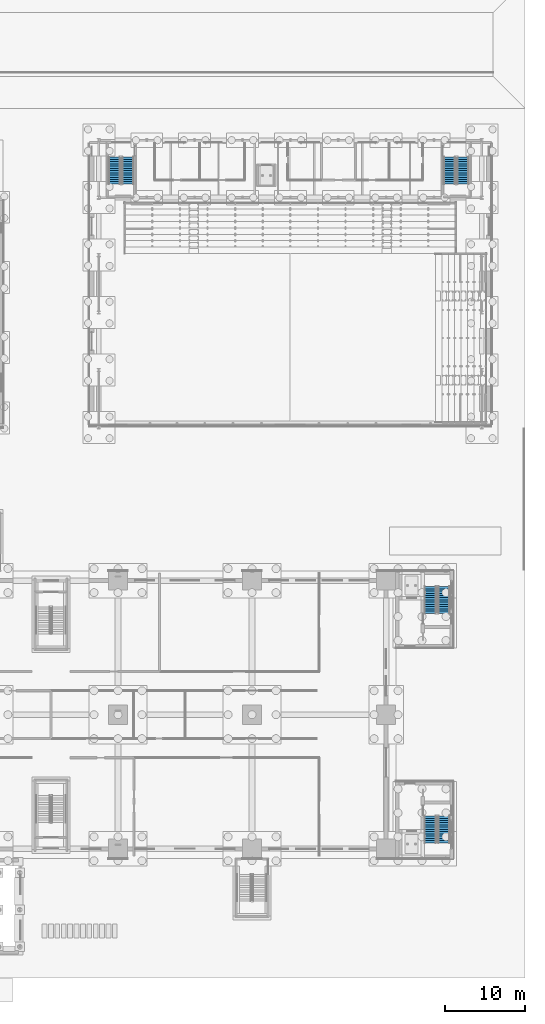
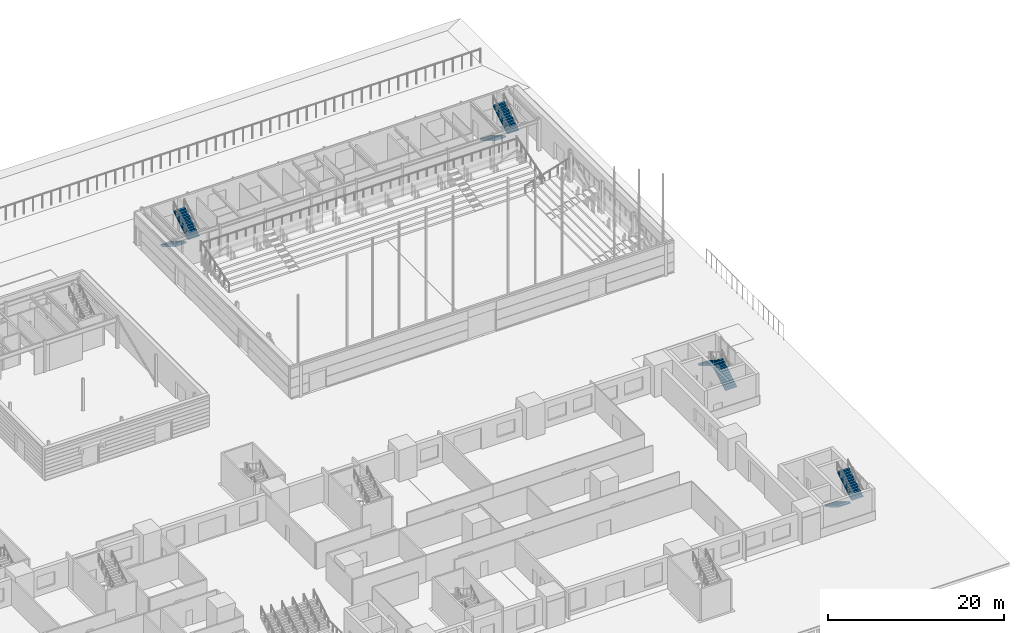
# One storey, part 92 of 139: 8 stair flights, 4 elements without a shape of their own.
"""IFC4 building model written with IfcOpenShell, lengths in metres."""

from ifc_helpers import new_model, si_unit, direction, frame, origin, place, context, subcontext, project, spatial, polyline, outline, extrude, material, type_object, element, aggregate, save


model = new_model("IFC4")

# Units and contexts
model_context = context("Model", 3, precision=1e-05, world=origin(), true_north=direction((0.0, 1.0)))
body_context = subcontext(model_context, "Body", "Model", "MODEL_VIEW")
ifc_project = project(units=[si_unit("LENGTHUNIT", "METRE"), si_unit("AREAUNIT", "SQUARE_METRE"), si_unit("VOLUMEUNIT", "CUBIC_METRE"), si_unit("PLANEANGLEUNIT", "RADIAN"), si_unit("MASSUNIT", "GRAM", prefix="KILO")], contexts=[model_context])

# Site, building, storey
site_placement = place(None, origin())
site = spatial("IfcSite", under=ifc_project, at=site_placement, CompositionType="ELEMENT")
building_placement = place(site_placement, origin())
building = spatial("IfcBuilding", under=site, at=building_placement, Name="Verrick Yard Athletic Hall", CompositionType="ELEMENT")
storey_placement = place(building_placement, origin())
storey = spatial("IfcBuildingStorey", under=building, at=storey_placement, Name="L00", CompositionType="ELEMENT", Elevation=0.0)

# Stair, stair flights
ifc_material = material(Name="Concrete 35 MPa", Category="concrete")
stair_type = type_object("IfcStairType", Name="Stair ST1 1500 wide 26 risers", PredefinedType="HALF_TURN_STAIR", material=ifc_material)
stair_1_placement = place(storey_placement, origin())
stair_1 = element("IfcStair", 1, at=stair_1_placement, inside=storey, type_object=stair_type, Name="Plinth south-east stair L00", PredefinedType="HALF_TURN_STAIR")
stair_flight_type = type_object("IfcStairFlightType", Name="Stair flight SF1 1500 wide 13 risers", PredefinedType="STRAIGHT", material=ifc_material)
stair_flight_1_placement = place(storey_placement, frame((163.14990234375, 23.300048828125, 0.0), z_axis=(0.0, 0.0, 1.0), x_axis=(0.0, -1.0, 0.0)))
stair_flight_1 = element("IfcStairFlight", 2, at=stair_flight_1_placement, type_object=stair_flight_type, Name="ST1 flight 1", NumberOfRisers=13, NumberOfTreads=12, PredefinedType="STRAIGHT", RiserHeight=0.169230769, TreadLength=0.28, context=body_context, shape_type="SweptSolid", body=[
    extrude(outline(polyline([(0.0, 0.0), (0.0, 0.169189453125), (0.280029296875, 0.169189453125), (0.280029296875, 0.33837890625), (0.56005859375, 0.33837890625), (0.56005859375, 0.5078125), (0.840087890625, 0.5078125), (0.840087890625, 0.677001953125), (1.1201171875, 0.677001953125), (1.1201171875, 0.84619140625), (1.39990234375, 0.84619140625), (1.39990234375, 1.015380859375), (1.679931640625, 1.015380859375), (1.679931640625, 1.1845703125), (1.9599609375, 1.1845703125), (1.9599609375, 1.353759765625), (2.239990234375, 1.353759765625), (2.239990234375, 1.523193359375), (2.52001953125, 1.523193359375), (2.52001953125, 1.6923828125), (2.800048828125, 1.6923828125), (2.800048828125, 1.861572265625), (3.080078125, 1.861572265625), (3.080078125, 2.03076171875), (3.360107421875, 2.03076171875), (3.360107421875, 2.199951171875), (3.360107421875, 1.855712890625), (0.289794921875, 0.0), (0.0, 0.0)])), frame((0.0, 0.75, 0.0), z_axis=(0.0, -1.0, 0.0), x_axis=(1.0, 0.0, 0.0)), (0.0, 0.0, 1.0), 1.5),
])
stair_flight_2_placement = place(storey_placement, frame((164.85009765625, 19.93994140625, 2.199951171875), z_axis=(0.0, 0.0, 1.0), x_axis=(0.0, 1.0, 0.0)))
stair_flight_2 = element("IfcStairFlight", 3, at=stair_flight_2_placement, type_object=stair_flight_type, Name="ST1 flight 2", NumberOfRisers=13, NumberOfTreads=12, PredefinedType="STRAIGHT", RiserHeight=0.169230769, TreadLength=0.28, context=body_context, shape_type="SweptSolid", body=[
    extrude(outline(polyline([(0.0, 0.0), (0.0, 0.169189453125), (0.280029296875, 0.169189453125), (0.280029296875, 0.33837890625), (0.56005859375, 0.33837890625), (0.56005859375, 0.5078125), (0.840087890625, 0.5078125), (0.840087890625, 0.677001953125), (1.1201171875, 0.677001953125), (1.1201171875, 0.84619140625), (1.39990234375, 0.84619140625), (1.39990234375, 1.015380859375), (1.679931640625, 1.015380859375), (1.679931640625, 1.1845703125), (1.9599609375, 1.1845703125), (1.9599609375, 1.353759765625), (2.239990234375, 1.353759765625), (2.239990234375, 1.523193359375), (2.52001953125, 1.523193359375), (2.52001953125, 1.6923828125), (2.800048828125, 1.6923828125), (2.800048828125, 1.861572265625), (3.080078125, 1.861572265625), (3.080078125, 2.03076171875), (3.360107421875, 2.03076171875), (3.360107421875, 2.199951171875), (3.360107421875, 1.855712890625), (0.289794921875, 0.0), (0.0, 0.0)])), frame((0.0, 0.75, 0.0), z_axis=(0.0, -1.0, 0.0), x_axis=(1.0, 0.0, 0.0)), (0.0, 0.0, 1.0), 1.5),
])
aggregate(stair_1, [stair_flight_1, stair_flight_2])

stair_2_placement = place(storey_placement, origin())
stair_2 = element("IfcStair", 4, at=stair_2_placement, inside=storey, type_object=stair_type, Name="Plinth north-east stair L00", PredefinedType="HALF_TURN_STAIR")
stair_flight_3_placement = place(storey_placement, frame((164.85009765625, 48.699951171875, 0.0), z_axis=(0.0, 0.0, 1.0), x_axis=(0.0, 1.0, 0.0)))
stair_flight_3 = element("IfcStairFlight", 5, at=stair_flight_3_placement, type_object=stair_flight_type, Name="ST1 flight 1", NumberOfRisers=13, NumberOfTreads=12, PredefinedType="STRAIGHT", RiserHeight=0.169230769, TreadLength=0.28, context=body_context, shape_type="SweptSolid", body=[
    extrude(outline(polyline([(0.0, 0.0), (0.0, 0.169189453125), (0.280029296875, 0.169189453125), (0.280029296875, 0.33837890625), (0.56005859375, 0.33837890625), (0.56005859375, 0.5078125), (0.840087890625, 0.5078125), (0.840087890625, 0.677001953125), (1.1201171875, 0.677001953125), (1.1201171875, 0.84619140625), (1.39990234375, 0.84619140625), (1.39990234375, 1.015380859375), (1.679931640625, 1.015380859375), (1.679931640625, 1.1845703125), (1.9599609375, 1.1845703125), (1.9599609375, 1.353759765625), (2.239990234375, 1.353759765625), (2.239990234375, 1.523193359375), (2.52001953125, 1.523193359375), (2.52001953125, 1.6923828125), (2.800048828125, 1.6923828125), (2.800048828125, 1.861572265625), (3.080078125, 1.861572265625), (3.080078125, 2.03076171875), (3.360107421875, 2.03076171875), (3.360107421875, 2.199951171875), (3.360107421875, 1.855712890625), (0.289794921875, 0.0), (0.0, 0.0)])), frame((0.0, 0.75, 0.0), z_axis=(0.0, -1.0, 0.0), x_axis=(1.0, 0.0, 0.0)), (0.0, 0.0, 1.0), 1.5),
])
stair_flight_4_placement = place(storey_placement, frame((163.14990234375, 52.06005859375, 2.199951171875), z_axis=(0.0, 0.0, 1.0), x_axis=(0.0, -1.0, 0.0)))
stair_flight_4 = element("IfcStairFlight", 6, at=stair_flight_4_placement, type_object=stair_flight_type, Name="ST1 flight 2", NumberOfRisers=13, NumberOfTreads=12, PredefinedType="STRAIGHT", RiserHeight=0.169230769, TreadLength=0.28, context=body_context, shape_type="SweptSolid", body=[
    extrude(outline(polyline([(0.0, 0.0), (0.0, 0.169189453125), (0.280029296875, 0.169189453125), (0.280029296875, 0.33837890625), (0.56005859375, 0.33837890625), (0.56005859375, 0.5078125), (0.840087890625, 0.5078125), (0.840087890625, 0.677001953125), (1.1201171875, 0.677001953125), (1.1201171875, 0.84619140625), (1.39990234375, 0.84619140625), (1.39990234375, 1.015380859375), (1.679931640625, 1.015380859375), (1.679931640625, 1.1845703125), (1.9599609375, 1.1845703125), (1.9599609375, 1.353759765625), (2.239990234375, 1.353759765625), (2.239990234375, 1.523193359375), (2.52001953125, 1.523193359375), (2.52001953125, 1.6923828125), (2.800048828125, 1.6923828125), (2.800048828125, 1.861572265625), (3.080078125, 1.861572265625), (3.080078125, 2.03076171875), (3.360107421875, 2.03076171875), (3.360107421875, 2.199951171875), (3.360107421875, 1.855712890625), (0.289794921875, 0.0), (0.0, 0.0)])), frame((0.0, 0.75, 0.0), z_axis=(0.0, -1.0, 0.0), x_axis=(1.0, 0.0, 0.0)), (0.0, 0.0, 1.0), 1.5),
])
aggregate(stair_2, [stair_flight_3, stair_flight_4])

stair_3_placement = place(storey_placement, origin())
stair_3 = element("IfcStair", 7, at=stair_3_placement, inside=storey, type_object=stair_type, Name="Sports Hall A east band stair L00", PredefinedType="HALF_TURN_STAIR")
stair_flight_5_placement = place(storey_placement, frame((165.550048828125, 105.875, 0.0), z_axis=(0.0, 0.0, 1.0), x_axis=(0.0, -1.0, 0.0)))
stair_flight_5 = element("IfcStairFlight", 8, at=stair_flight_5_placement, type_object=stair_flight_type, Name="ST1 flight 1", NumberOfRisers=13, NumberOfTreads=12, PredefinedType="STRAIGHT", RiserHeight=0.169230769, TreadLength=0.28, context=body_context, shape_type="SweptSolid", body=[
    extrude(outline(polyline([(0.0, 0.0), (0.0, 0.169189453125), (0.280029296875, 0.169189453125), (0.280029296875, 0.33837890625), (0.56005859375, 0.33837890625), (0.56005859375, 0.5078125), (0.840087890625, 0.5078125), (0.840087890625, 0.677001953125), (1.1201171875, 0.677001953125), (1.1201171875, 0.84619140625), (1.39990234375, 0.84619140625), (1.39990234375, 1.015380859375), (1.679931640625, 1.015380859375), (1.679931640625, 1.1845703125), (1.9599609375, 1.1845703125), (1.9599609375, 1.353759765625), (2.239990234375, 1.353759765625), (2.239990234375, 1.523193359375), (2.52001953125, 1.523193359375), (2.52001953125, 1.6923828125), (2.800048828125, 1.6923828125), (2.800048828125, 1.861572265625), (3.080078125, 1.861572265625), (3.080078125, 2.03076171875), (3.360107421875, 2.03076171875), (3.360107421875, 2.199951171875), (3.360107421875, 1.855712890625), (0.289794921875, 0.0), (0.0, 0.0)])), frame((0.0, 0.75, 0.0), z_axis=(0.0, -1.0, 0.0), x_axis=(1.0, 0.0, 0.0)), (0.0, 0.0, 1.0), 1.5),
])
stair_flight_6_placement = place(storey_placement, frame((167.25, 102.514892578125, 2.199951171875), z_axis=(0.0, 0.0, 1.0), x_axis=(0.0, 1.0, 0.0)))
stair_flight_6 = element("IfcStairFlight", 9, at=stair_flight_6_placement, type_object=stair_flight_type, Name="ST1 flight 2", NumberOfRisers=13, NumberOfTreads=12, PredefinedType="STRAIGHT", RiserHeight=0.169230769, TreadLength=0.28, context=body_context, shape_type="SweptSolid", body=[
    extrude(outline(polyline([(0.0, 0.0), (0.0, 0.169189453125), (0.280029296875, 0.169189453125), (0.280029296875, 0.33837890625), (0.56005859375, 0.33837890625), (0.56005859375, 0.5078125), (0.840087890625, 0.5078125), (0.840087890625, 0.677001953125), (1.1201171875, 0.677001953125), (1.1201171875, 0.84619140625), (1.39990234375, 0.84619140625), (1.39990234375, 1.015380859375), (1.679931640625, 1.015380859375), (1.679931640625, 1.1845703125), (1.9599609375, 1.1845703125), (1.9599609375, 1.353759765625), (2.239990234375, 1.353759765625), (2.239990234375, 1.523193359375), (2.52001953125, 1.523193359375), (2.52001953125, 1.6923828125), (2.800048828125, 1.6923828125), (2.800048828125, 1.861572265625), (3.080078125, 1.861572265625), (3.080078125, 2.03076171875), (3.360107421875, 2.03076171875), (3.360107421875, 2.199951171875), (3.360107421875, 1.855712890625), (0.289794921875, 0.0), (0.0, 0.0)])), frame((0.0, 0.75, 0.0), z_axis=(0.0, -1.0, 0.0), x_axis=(1.0, 0.0, 0.0)), (0.0, 0.0, 1.0), 1.5),
])
aggregate(stair_3, [stair_flight_5, stair_flight_6])

stair_4_placement = place(storey_placement, origin())
stair_4 = element("IfcStair", 10, at=stair_4_placement, inside=storey, type_object=stair_type, Name="Sports Hall A west band stair L00", PredefinedType="HALF_TURN_STAIR")
stair_flight_7_placement = place(storey_placement, frame((123.550048828125, 105.875, 0.0), z_axis=(0.0, 0.0, 1.0), x_axis=(0.0, -1.0, 0.0)))
stair_flight_7 = element("IfcStairFlight", 11, at=stair_flight_7_placement, type_object=stair_flight_type, Name="ST1 flight 1", NumberOfRisers=13, NumberOfTreads=12, PredefinedType="STRAIGHT", RiserHeight=0.169230769, TreadLength=0.28, context=body_context, shape_type="SweptSolid", body=[
    extrude(outline(polyline([(0.0, 0.0), (0.0, 0.169189453125), (0.280029296875, 0.169189453125), (0.280029296875, 0.33837890625), (0.56005859375, 0.33837890625), (0.56005859375, 0.5078125), (0.840087890625, 0.5078125), (0.840087890625, 0.677001953125), (1.1201171875, 0.677001953125), (1.1201171875, 0.84619140625), (1.39990234375, 0.84619140625), (1.39990234375, 1.015380859375), (1.679931640625, 1.015380859375), (1.679931640625, 1.1845703125), (1.9599609375, 1.1845703125), (1.9599609375, 1.353759765625), (2.239990234375, 1.353759765625), (2.239990234375, 1.523193359375), (2.52001953125, 1.523193359375), (2.52001953125, 1.6923828125), (2.800048828125, 1.6923828125), (2.800048828125, 1.861572265625), (3.080078125, 1.861572265625), (3.080078125, 2.03076171875), (3.360107421875, 2.03076171875), (3.360107421875, 2.199951171875), (3.360107421875, 1.855712890625), (0.289794921875, 0.0), (0.0, 0.0)])), frame((0.0, 0.75, 0.0), z_axis=(0.0, -1.0, 0.0), x_axis=(1.0, 0.0, 0.0)), (0.0, 0.0, 1.0), 1.5),
])
stair_flight_8_placement = place(storey_placement, frame((125.25, 102.514892578125, 2.199951171875), z_axis=(0.0, 0.0, 1.0), x_axis=(0.0, 1.0, 0.0)))
stair_flight_8 = element("IfcStairFlight", 12, at=stair_flight_8_placement, type_object=stair_flight_type, Name="ST1 flight 2", NumberOfRisers=13, NumberOfTreads=12, PredefinedType="STRAIGHT", RiserHeight=0.169230769, TreadLength=0.28, context=body_context, shape_type="SweptSolid", body=[
    extrude(outline(polyline([(0.0, 0.0), (0.0, 0.169189453125), (0.280029296875, 0.169189453125), (0.280029296875, 0.33837890625), (0.56005859375, 0.33837890625), (0.56005859375, 0.5078125), (0.840087890625, 0.5078125), (0.840087890625, 0.677001953125), (1.1201171875, 0.677001953125), (1.1201171875, 0.84619140625), (1.39990234375, 0.84619140625), (1.39990234375, 1.015380859375), (1.679931640625, 1.015380859375), (1.679931640625, 1.1845703125), (1.9599609375, 1.1845703125), (1.9599609375, 1.353759765625), (2.239990234375, 1.353759765625), (2.239990234375, 1.523193359375), (2.52001953125, 1.523193359375), (2.52001953125, 1.6923828125), (2.800048828125, 1.6923828125), (2.800048828125, 1.861572265625), (3.080078125, 1.861572265625), (3.080078125, 2.03076171875), (3.360107421875, 2.03076171875), (3.360107421875, 2.199951171875), (3.360107421875, 1.855712890625), (0.289794921875, 0.0), (0.0, 0.0)])), frame((0.0, 0.75, 0.0), z_axis=(0.0, -1.0, 0.0), x_axis=(1.0, 0.0, 0.0)), (0.0, 0.0, 1.0), 1.5),
])
aggregate(stair_4, [stair_flight_7, stair_flight_8])

save(model, "model.ifc")
